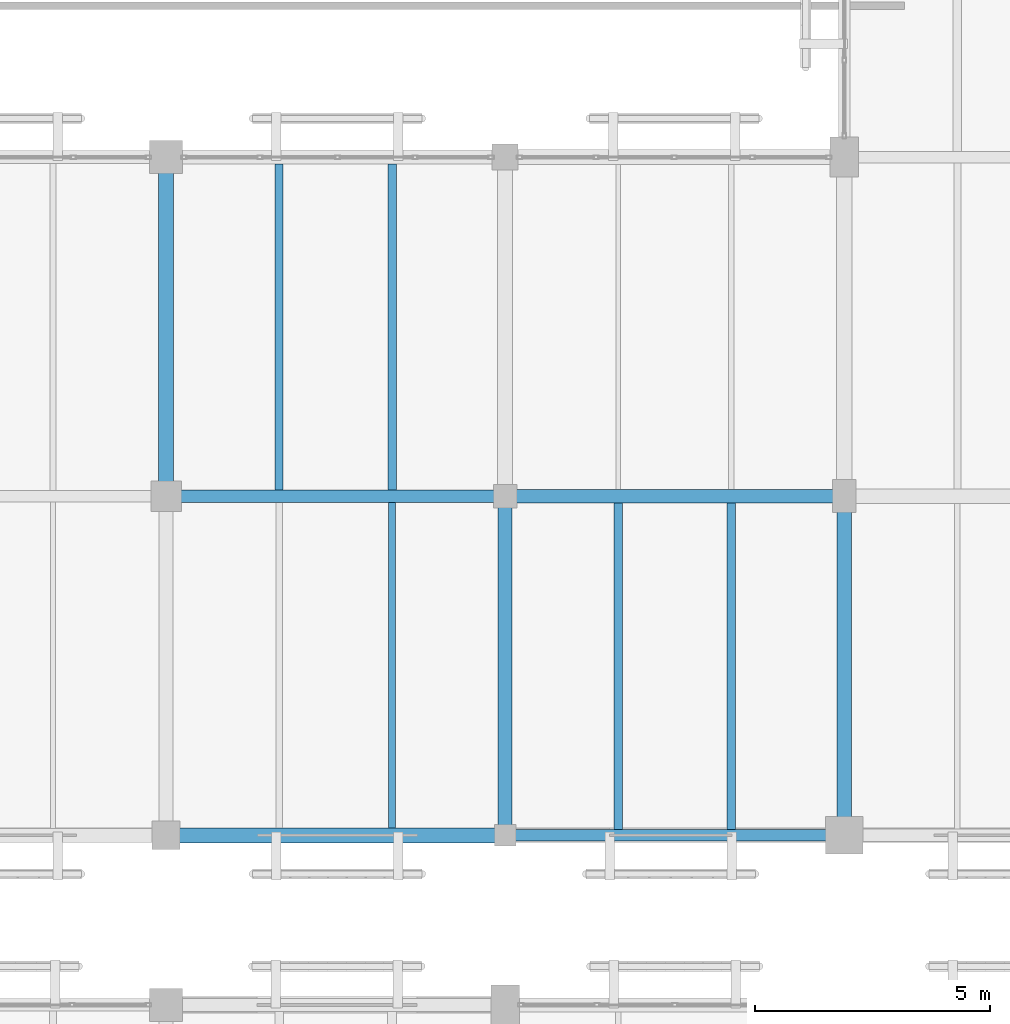
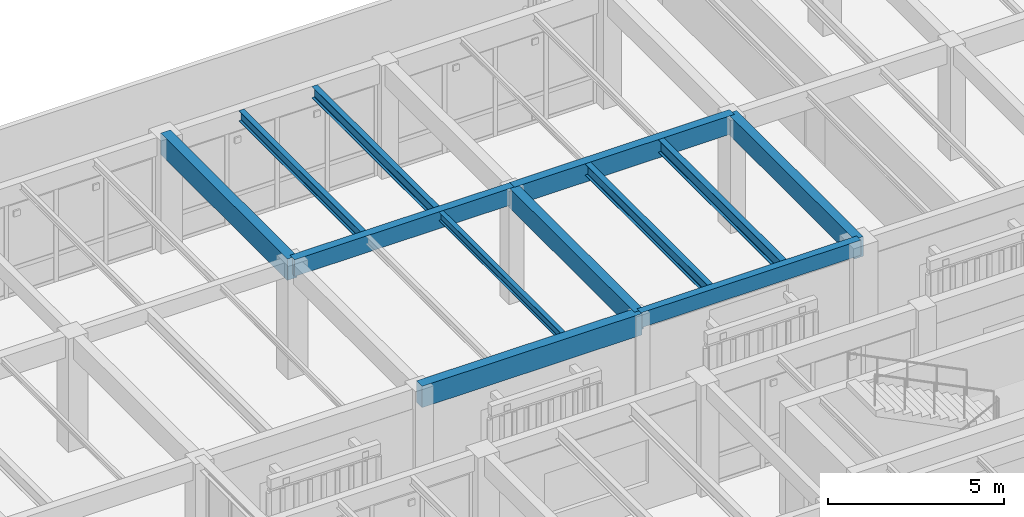
# One storey, part 97 of 170: 12 beams.
"""IFC4 building model written with IfcOpenShell, lengths in metres."""

from ifc_helpers import new_model, si_unit, direction, frame, origin, origin_2d, place, context, subcontext, project, spatial, rectangle, i_section, extrude, material, material_profile, profile_set, type_object, element, save


model = new_model("IFC4")

# Units and contexts
model_context = context("Model", 3, precision=1e-05, world=origin(), true_north=direction((0.0, 1.0)))
body_context = subcontext(model_context, "Body", "Model", "MODEL_VIEW")
ifc_project = project(units=[si_unit("LENGTHUNIT", "METRE"), si_unit("AREAUNIT", "SQUARE_METRE"), si_unit("VOLUMEUNIT", "CUBIC_METRE"), si_unit("PLANEANGLEUNIT", "RADIAN"), si_unit("MASSUNIT", "GRAM", prefix="KILO")], contexts=[model_context])

# Site, building, storey
site_placement = place(None, origin())
site = spatial("IfcSite", under=ifc_project, at=site_placement, CompositionType="ELEMENT")
building_placement = place(site_placement, origin())
building = spatial("IfcBuilding", under=site, at=building_placement, Name="Mazaris Harbour Polytechnic", CompositionType="ELEMENT")
storey_placement = place(building_placement, frame((0.0, 0.0, 5.39990234375)))
storey = spatial("IfcBuildingStorey", under=building, at=storey_placement, Name="L01", CompositionType="ELEMENT", Elevation=5.39990234375)

# Beams
ifc_material_1 = material(Name="Glulam GL32h", Category="wood")
ifc_material_profile_1 = material_profile(ifc_material_1, rectangle(XDim=0.239990234375, YDim=0.52001953125, at=origin_2d()), Name="RECT240x520")
ifc_profile_set_1 = profile_set([ifc_material_profile_1], Name="Glulam GL32h")
beam_type_1 = type_object("IfcBeamType", Name="Glulam Girder 240x520 Exterior", PredefinedType="BEAM", material=ifc_profile_set_1)
beam_1_placement = place(storey_placement, frame((151.199951171875, 46.800048828125, 3.66015625), z_axis=(1.0, 0.0, 0.0), x_axis=(0.0, 1.0, 0.0)))
element("IfcBeam", 1, at=beam_1_placement, inside=storey, type_object=beam_type_1, Name="V5 L01 Girder 2910", PredefinedType="BEAM", context=body_context, shape_type="SweptSolid", body=[
    extrude(rectangle(XDim=0.239990234375, YDim=0.52001953125, at=origin_2d()), origin(), (0.0, 0.0, 1.0), 7.199951171875),
])
ifc_material_2 = material(Name="Glulam GL32h", Category="wood")
ifc_material_profile_2 = material_profile(ifc_material_2, rectangle(XDim=0.260009765625, YDim=0.580078125, at=origin_2d()), Name="RECT260x580")
ifc_profile_set_2 = profile_set([ifc_material_profile_2], Name="Glulam GL32h")
beam_type_2 = type_object("IfcBeamType", Name="Glulam Girder 260x580", PredefinedType="BEAM", material=ifc_profile_set_2)
beam_2_placement = place(storey_placement, frame((144.0, 54.0, 3.630126953125), z_axis=(1.0, 0.0, 0.0), x_axis=(0.0, 1.0, 0.0)))
element("IfcBeam", 2, at=beam_2_placement, inside=storey, type_object=beam_type_2, Name="V5 L01 Girder 2916", PredefinedType="BEAM", context=body_context, shape_type="SweptSolid", body=[
    extrude(rectangle(XDim=0.260009765625, YDim=0.580078125, at=origin_2d()), origin(), (0.0, 0.0, 1.0), 7.199951171875),
])
ifc_material_3 = material(Name="Glulam GL32h", Category="wood")
ifc_material_profile_3 = material_profile(ifc_material_3, rectangle(XDim=0.280029296875, YDim=0.639892578125, at=origin_2d()), Name="RECT280x640")
ifc_profile_set_3 = profile_set([ifc_material_profile_3], Name="Glulam GL32h")
beam_type_3 = type_object("IfcBeamType", Name="Glulam Girder 280x640", PredefinedType="BEAM", material=ifc_profile_set_3)
beam_3_placement = place(storey_placement, frame((151.199951171875, 54.0, 3.60009765625), z_axis=(1.0, 0.0, 0.0), x_axis=(0.0, 1.0, 0.0)))
element("IfcBeam", 3, at=beam_3_placement, inside=storey, type_object=beam_type_3, Name="V5 L01 Girder 2917", PredefinedType="BEAM", context=body_context, shape_type="SweptSolid", body=[
    extrude(rectangle(XDim=0.280029296875, YDim=0.639892578125, at=origin_2d()), origin(), (0.0, 0.0, 1.0), 7.199951171875),
])
ifc_material_4 = material(Name="Glulam GL32h", Category="wood")
ifc_material_profile_4 = material_profile(ifc_material_4, rectangle(XDim=0.300048828125, YDim=0.679931640625, at=origin_2d()), Name="RECT300x680")
ifc_profile_set_4 = profile_set([ifc_material_profile_4], Name="Glulam GL32h")
beam_type_4 = type_object("IfcBeamType", Name="Glulam Girder 300x680", PredefinedType="BEAM", material=ifc_profile_set_4)
for number, where, z_axis, x_axis, name in (
    (4, (151.199951171875, 46.800048828125, 3.580078125), (0.0, 1.0, 0.0), (-1.0, 0.0, 0.0), "V5 L01 Tie Girder 2998"),
    (5, (158.39990234375, 46.800048828125, 3.580078125), (0.0, 1.0, 0.0), (-1.0, 0.0, 0.0), "V5 L01 Tie Girder 3003"),
):
    element("IfcBeam", number, at=place(storey_placement, frame(where, z_axis=z_axis, x_axis=x_axis)), inside=storey, type_object=beam_type_4, Name=name, PredefinedType="BEAM", context=body_context, shape_type="SweptSolid", body=[
        extrude(rectangle(XDim=0.300048828125, YDim=0.679931640625, at=origin_2d()), origin(), (0.0, 0.0, 1.0), 7.199951171875),
    ])
ifc_material_5 = material(Name="Glulam GL32h", Category="wood")
ifc_material_profile_5 = material_profile(ifc_material_5, rectangle(XDim=0.320068359375, YDim=0.739990234375, at=origin_2d()), Name="RECT320x740")
ifc_profile_set_5 = profile_set([ifc_material_profile_5], Name="Glulam GL32h")
beam_type_5 = type_object("IfcBeamType", Name="Glulam Girder 320x740", PredefinedType="BEAM", material=ifc_profile_set_5)
beam_4_placement = place(storey_placement, frame((144.0, 54.0, 3.550048828125), z_axis=(0.0, 1.0, 0.0), x_axis=(-1.0, 0.0, 0.0)))
element("IfcBeam", 6, at=beam_4_placement, inside=storey, type_object=beam_type_5, Name="V5 L01 Tie Girder 2994", PredefinedType="BEAM", context=body_context, shape_type="SweptSolid", body=[
    extrude(rectangle(XDim=0.320068359375, YDim=0.739990234375, at=origin_2d()), origin(), (0.0, 0.0, 1.0), 7.199951171875),
])
ifc_material_6 = material(Name="Glulam GL32h", Category="wood")
ifc_material_profile_6 = material_profile(ifc_material_6, rectangle(XDim=0.320068359375, YDim=0.739990234375, at=origin_2d()), Name="RECT320x740")
ifc_profile_set_6 = profile_set([ifc_material_profile_6], Name="Glulam GL32h")
beam_type_6 = type_object("IfcBeamType", Name="Glulam Girder 320x740 Exterior", PredefinedType="BEAM", material=ifc_profile_set_6)
beam_5_placement = place(storey_placement, frame((144.0, 46.800048828125, 3.550048828125), z_axis=(1.0, 0.0, 0.0), x_axis=(0.0, 1.0, 0.0)))
element("IfcBeam", 7, at=beam_5_placement, inside=storey, type_object=beam_type_6, Name="V5 L01 Girder 2909", PredefinedType="BEAM", context=body_context, shape_type="SweptSolid", body=[
    extrude(rectangle(XDim=0.320068359375, YDim=0.739990234375, at=origin_2d()), origin(), (0.0, 0.0, 1.0), 7.199951171875),
])
ifc_material_7 = material(Name="Steel S355", Category="steel")
ifc_material_profile_7 = material_profile(ifc_material_7, i_section(OverallWidth=0.14990234375, OverallDepth=0.300048828125, WebThickness=0.007080078125, FlangeThickness=0.0107421875, FilletRadius=0.014892578125, at=origin_2d()), Name="IPE 300")
ifc_profile_set_7 = profile_set([ifc_material_profile_7], Name="Steel S355")
beam_type_7 = type_object("IfcBeamType", Name="Steel Joist IPE300", PredefinedType="JOIST", material=ifc_profile_set_7)
beam_6_placement = place(storey_placement, frame((148.800048828125, 46.9599609375, 3.77001953125), z_axis=(0.0, 1.0, 0.0), x_axis=(-1.0, 0.0, 0.0)))
element("IfcBeam", 8, at=beam_6_placement, inside=storey, type_object=beam_type_7, Name="V5 L01 Floor Joist 3069", PredefinedType="JOIST", context=body_context, shape_type="SweptSolid", body=[
    extrude(i_section(OverallWidth=0.14990234375, OverallDepth=0.300048828125, WebThickness=0.007080078125, FlangeThickness=0.0107421875, FilletRadius=0.014892578125, at=origin_2d()), origin(), (0.0, 0.0, 1.0), 6.91015625),
])
ifc_material_8 = material(Name="Steel S355", Category="steel")
ifc_material_profile_8 = material_profile(ifc_material_8, i_section(OverallWidth=0.169921875, OverallDepth=0.360107421875, WebThickness=0.008056640625, FlangeThickness=0.0126953125, FilletRadius=0.01806640625, at=origin_2d()), Name="IPE 360")
ifc_profile_set_8 = profile_set([ifc_material_profile_8], Name="Steel S355")
beam_type_8 = type_object("IfcBeamType", Name="Steel Joist IPE360", PredefinedType="JOIST", material=ifc_profile_set_8)
beam_7_placement = place(storey_placement, frame((146.39990234375, 54.1298828125, 3.739990234375), z_axis=(0.0, 1.0, 0.0), x_axis=(-1.0, 0.0, 0.0)))
element("IfcBeam", 9, at=beam_7_placement, inside=storey, type_object=beam_type_8, Name="V5 L01 Floor Joist 3070", PredefinedType="JOIST", context=body_context, shape_type="SweptSolid", body=[
    extrude(i_section(OverallWidth=0.169921875, OverallDepth=0.360107421875, WebThickness=0.008056640625, FlangeThickness=0.0126953125, FilletRadius=0.01806640625, at=origin_2d()), origin(), (0.0, 0.0, 1.0), 6.920166015625),
])
ifc_material_9 = material(Name="Steel S355", Category="steel")
ifc_material_profile_9 = material_profile(ifc_material_9, i_section(OverallWidth=0.179931640625, OverallDepth=0.39990234375, WebThickness=0.008544921875, FlangeThickness=0.013427734375, FilletRadius=0.02099609375, at=origin_2d()), Name="IPE 400")
ifc_profile_set_9 = profile_set([ifc_material_profile_9], Name="Steel S355")
beam_type_9 = type_object("IfcBeamType", Name="Steel Joist IPE400", PredefinedType="JOIST", material=ifc_profile_set_9)
beam_8_placement = place(storey_placement, frame((148.800048828125, 54.1298828125, 3.72021484375), z_axis=(0.0, 1.0, 0.0), x_axis=(-1.0, 0.0, 0.0)))
element("IfcBeam", 10, at=beam_8_placement, inside=storey, type_object=beam_type_9, Name="V5 L01 Floor Joist 3071", PredefinedType="JOIST", context=body_context, shape_type="SweptSolid", body=[
    extrude(i_section(OverallWidth=0.179931640625, OverallDepth=0.39990234375, WebThickness=0.008544921875, FlangeThickness=0.013427734375, FilletRadius=0.02099609375, at=origin_2d()), origin(), (0.0, 0.0, 1.0), 6.920166015625),
])
beam_9_placement = place(storey_placement, frame((153.60009765625, 46.919921875, 3.72021484375), z_axis=(0.0, 1.0, 0.0), x_axis=(-1.0, 0.0, 0.0)))
element("IfcBeam", 11, at=beam_9_placement, inside=storey, type_object=beam_type_9, Name="V5 L01 Floor Joist 3078", PredefinedType="JOIST", context=body_context, shape_type="SweptSolid", body=[
    extrude(i_section(OverallWidth=0.179931640625, OverallDepth=0.39990234375, WebThickness=0.008544921875, FlangeThickness=0.013427734375, FilletRadius=0.02099609375, at=origin_2d()), origin(), (0.0, 0.0, 1.0), 6.940185546875),
])
ifc_material_10 = material(Name="Steel S355", Category="steel")
ifc_material_profile_10 = material_profile(ifc_material_10, i_section(OverallWidth=0.18994140625, OverallDepth=0.449951171875, WebThickness=0.009521484375, FlangeThickness=0.0146484375, FilletRadius=0.02099609375, at=origin_2d()), Name="IPE 450")
ifc_profile_set_10 = profile_set([ifc_material_profile_10], Name="Steel S355")
beam_type_10 = type_object("IfcBeamType", Name="Steel Joist IPE450", PredefinedType="JOIST", material=ifc_profile_set_10)
beam_10_placement = place(storey_placement, frame((156.0, 46.919921875, 3.695068359375), z_axis=(0.0, 1.0, 0.0), x_axis=(-1.0, 0.0, 0.0)))
element("IfcBeam", 12, at=beam_10_placement, inside=storey, type_object=beam_type_10, Name="V5 L01 Floor Joist 3079", PredefinedType="JOIST", context=body_context, shape_type="SweptSolid", body=[
    extrude(i_section(OverallWidth=0.18994140625, OverallDepth=0.449951171875, WebThickness=0.009521484375, FlangeThickness=0.0146484375, FilletRadius=0.02099609375, at=origin_2d()), origin(), (0.0, 0.0, 1.0), 6.940185546875),
])

save(model, "model.ifc")
